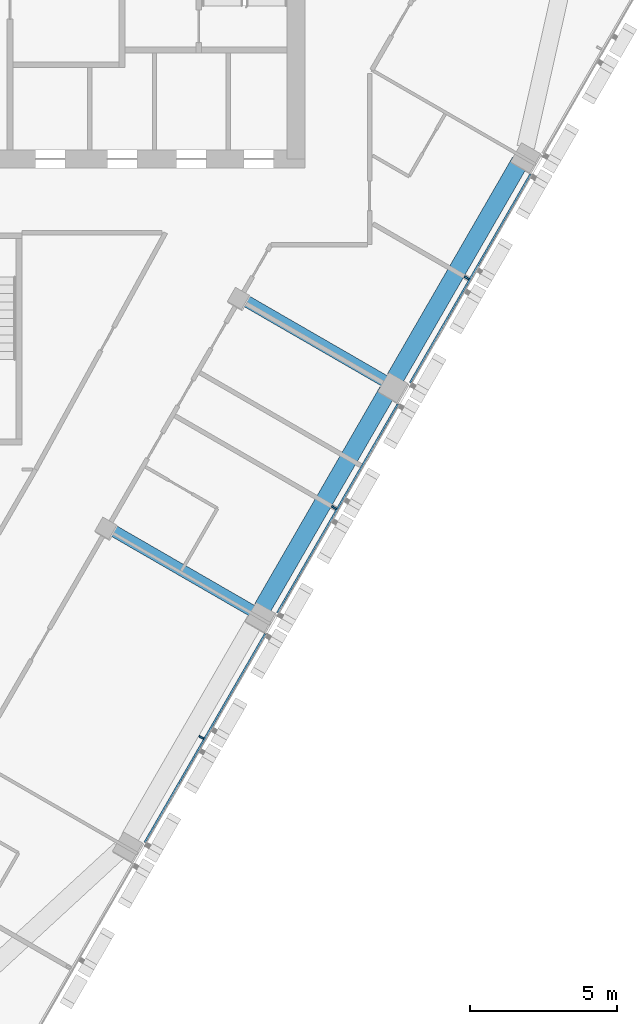
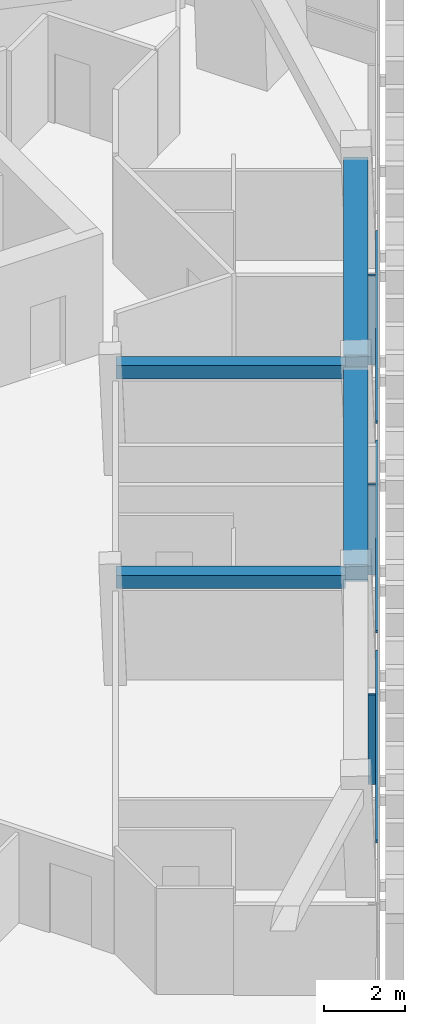
# One storey, part 4 of 14: 6 members, 4 beams, 1 element without a shape of its own.
"""IFC4 building model written with IfcOpenShell, lengths in metres."""

from ifc_helpers import new_model, si_unit, direction, frame, origin, origin_2d, place, context, subcontext, project, spatial, rectangle, extrude, material, layer, layer_set, material_profile, profile_set, type_object, element, aggregate, save


model = new_model("IFC4")

# Units and contexts
model_context = context("Model", 3, precision=1e-05, world=origin(), true_north=direction((0.0, 1.0)))
body_context = subcontext(model_context, "Body", "Model", "MODEL_VIEW")
ifc_project = project(units=[si_unit("LENGTHUNIT", "METRE"), si_unit("AREAUNIT", "SQUARE_METRE"), si_unit("VOLUMEUNIT", "CUBIC_METRE"), si_unit("PLANEANGLEUNIT", "RADIAN"), si_unit("MASSUNIT", "GRAM", prefix="KILO")], contexts=[model_context])

# Site, building, storey
site_placement = place(None, origin())
site = spatial("IfcSite", under=ifc_project, at=site_placement, CompositionType="ELEMENT")
building_placement = place(site_placement, origin())
building = spatial("IfcBuilding", under=site, at=building_placement, Name="Altiplano Prism Tower", CompositionType="ELEMENT")
storey_placement = place(building_placement, frame((0.0, 0.0, 226.60009765625)))
storey = spatial("IfcBuildingStorey", under=building, at=storey_placement, Name="L58", CompositionType="ELEMENT", Elevation=226.60009765625)

# Curtain wall, members
ifc_material_1 = material(Name="Aluminium and glass", Category="aluminium")
ifc_layer = layer(ifc_material_1, 0.280029296875)
ifc_layer_set = layer_set([ifc_layer], Name="Aluminium and glass")
curtain_wall_type = type_object("IfcCurtainWallType", Name="CW1 typical co-living unitised curtain wall", PredefinedType="NOTDEFINED", material=ifc_layer_set)
curtain_wall_placement = place(storey_placement, origin())
curtain_wall = element("IfcCurtainWall", 1, at=curtain_wall_placement, inside=storey, type_object=curtain_wall_type, Name="CW1 curtain wall south-east face L58", PredefinedType="NOTDEFINED")
ifc_material_2 = material(Name="Aluminium", Category="aluminium")
ifc_material_profile_1 = material_profile(ifc_material_2, rectangle(XDim=0.179931640625, YDim=0.06494140625, at=origin_2d()), Name="CW1 mullion 65 x 180")
ifc_profile_set_1 = profile_set([ifc_material_profile_1], Name="Aluminium")
member_type_1 = type_object("IfcMemberType", Name="CW1 mullion 65 x 180", PredefinedType="MULLION", material=ifc_profile_set_1)
member_1_placement = place(storey_placement, frame((94.0869140625, 73.482421875, 0.0), z_axis=(0.0, 0.0, 1.0), x_axis=(-0.866025401725, 0.500000003567, 0.0)))
member_1 = element("IfcMember", 2, at=member_1_placement, type_object=member_type_1, Name="CW1 mullion", PredefinedType="MULLION", context=body_context, shape_type="SweptSolid", body=[
    extrude(rectangle(XDim=0.179931640625, YDim=0.06494140625, at=origin_2d()), origin(), (0.0, 0.0, 1.0), 2.699951171875),
])
member_2_placement = place(storey_placement, frame((98.5869140625, 81.276611328125, 0.0), z_axis=(0.0, 0.0, 1.0), x_axis=(-0.866025401725, 0.500000003567, 0.0)))
member_2 = element("IfcMember", 3, at=member_2_placement, type_object=member_type_1, Name="CW1 mullion", PredefinedType="MULLION", context=body_context, shape_type="SweptSolid", body=[
    extrude(rectangle(XDim=0.179931640625, YDim=0.06494140625, at=origin_2d()), origin(), (0.0, 0.0, 1.0), 2.699951171875),
])
member_3_placement = place(storey_placement, frame((103.0869140625, 89.07080078125, 0.0), z_axis=(0.0, 0.0, 1.0), x_axis=(-0.866025401725, 0.500000003567, 0.0)))
member_3 = element("IfcMember", 4, at=member_3_placement, type_object=member_type_1, Name="CW1 mullion", PredefinedType="MULLION", context=body_context, shape_type="SweptSolid", body=[
    extrude(rectangle(XDim=0.179931640625, YDim=0.06494140625, at=origin_2d()), origin(), (0.0, 0.0, 1.0), 2.699951171875),
])
ifc_material_profile_2 = material_profile(ifc_material_2, rectangle(XDim=0.06005859375, YDim=0.080078125, at=origin_2d()), Name="CW1 transom 80 x 60")
ifc_profile_set_2 = profile_set([ifc_material_profile_2], Name="Aluminium")
member_type_2 = type_object("IfcMemberType", Name="CW1 transom 80 x 60", PredefinedType="USERDEFINED", material=ifc_profile_set_2)
member_4_placement = place(storey_placement, frame((92.168212890625, 69.9189453125, 1.099853515625), z_axis=(0.500008722908, 0.866020367552, 0.0), x_axis=(-0.866020367552, 0.500008722908, 0.0)))
member_4 = element("IfcMember", 5, at=member_4_placement, type_object=member_type_2, Name="CW1 transom", ObjectType="TRANSOM", PredefinedType="USERDEFINED", context=body_context, shape_type="SweptSolid", body=[
    extrude(rectangle(XDim=0.06005859375, YDim=0.080078125, at=origin_2d()), origin(), (0.0, 0.0, 1.0), 8.169677734375),
])
member_5_placement = place(storey_placement, frame((96.668212890625, 77.713134765625, 1.099853515625), z_axis=(0.499995783154, 0.866027838368, 0.0), x_axis=(-0.866027838368, 0.499995783154, 0.0)))
member_5 = element("IfcMember", 6, at=member_5_placement, type_object=member_type_2, Name="CW1 transom", ObjectType="TRANSOM", PredefinedType="USERDEFINED", context=body_context, shape_type="SweptSolid", body=[
    extrude(rectangle(XDim=0.06005859375, YDim=0.080078125, at=origin_2d()), origin(), (0.0, 0.0, 1.0), 8.169921875),
])
member_6_placement = place(storey_placement, frame((101.168212890625, 85.50732421875, 1.099853515625), z_axis=(0.499995783154, 0.866027838368, 0.0), x_axis=(-0.866027838368, 0.499995783154, 0.0)))
member_6 = element("IfcMember", 7, at=member_6_placement, type_object=member_type_2, Name="CW1 transom", ObjectType="TRANSOM", PredefinedType="USERDEFINED", context=body_context, shape_type="SweptSolid", body=[
    extrude(rectangle(XDim=0.06005859375, YDim=0.080078125, at=origin_2d()), origin(), (0.0, 0.0, 1.0), 8.169921875),
])
aggregate(curtain_wall, [member_1, member_4, member_2, member_5, member_3, member_6])

# Beams
ifc_material_3 = material(Name="Concrete C60/75", Category="concrete")
ifc_material_profile_3 = material_profile(ifc_material_3, rectangle(XDim=0.60009765625, YDim=0.5, at=origin_2d()), Name="Edge beam 600x500")
ifc_profile_set_3 = profile_set([ifc_material_profile_3], Name="Concrete C60/75")
beam_type_1 = type_object("IfcBeamType", Name="Edge beam 600x500", PredefinedType="SPANDREL", material=ifc_profile_set_3)
for number, where, z_axis, x_axis, name in (
    (8, (96.159423828125, 77.868896484375, 2.949951171875), (0.49998963237, 0.866031389456, 0.0), (-0.866031389456, 0.49998963237, 0.0), "Edge beam P22-P23 L59"),
    (9, (100.659423828125, 85.6630859375, 2.949951171875), (0.49998963237, 0.866031389456, 0.0), (-0.866031389456, 0.49998963237, 0.0), "Edge beam P23-P24 L59"),
):
    element("IfcBeam", number, at=place(storey_placement, frame(where, z_axis=z_axis, x_axis=x_axis)), inside=storey, type_object=beam_type_1, Name=name, PredefinedType="SPANDREL", context=body_context, shape_type="SweptSolid", body=[
        extrude(rectangle(XDim=0.60009765625, YDim=0.5, at=origin_2d()), origin(), (0.0, 0.0, 1.0), 8.489990234375),
    ])
ifc_material_profile_4 = material_profile(ifc_material_3, rectangle(XDim=0.39990234375, YDim=0.39990234375, at=origin_2d()), Name="Tie beam 400x400")
ifc_profile_set_4 = profile_set([ifc_material_profile_4], Name="Concrete C60/75")
beam_type_2 = type_object("IfcBeamType", Name="Tie beam 400x400", PredefinedType="BEAM", material=ifc_profile_set_4)
for number, where, z_axis, x_axis, name in (
    (10, (90.926513671875, 80.595458984375, 3.0), (0.866045024864, -0.499966013754, 0.0), (0.499966013754, 0.866045024864, 0.0), "Tie beam I22 L59"),
    (11, (95.426513671875, 88.389892578125, 3.0), (0.866026281646, -0.499998479497, 0.0), (0.499998479497, 0.866026281646, 0.0), "Tie beam I23 L59"),
):
    element("IfcBeam", number, at=place(storey_placement, frame(where, z_axis=z_axis, x_axis=x_axis)), inside=storey, type_object=beam_type_2, Name=name, PredefinedType="BEAM", context=body_context, shape_type="SweptSolid", body=[
        extrude(rectangle(XDim=0.39990234375, YDim=0.39990234375, at=origin_2d()), origin(), (0.0, 0.0, 1.0), 5.64013671875),
    ])

save(model, "model.ifc")
